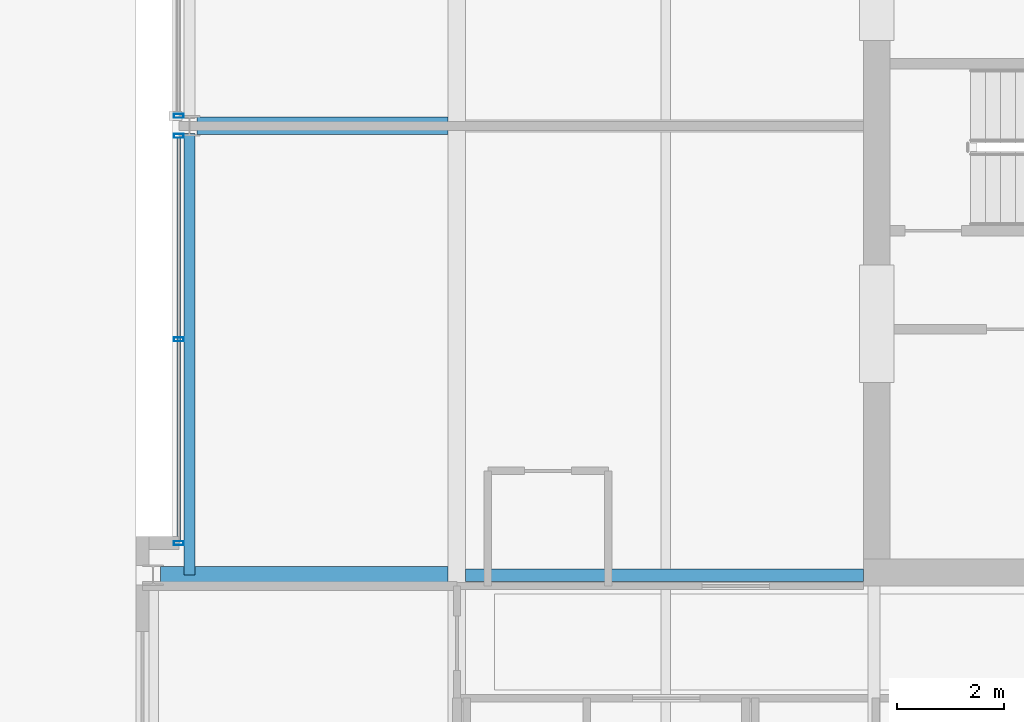
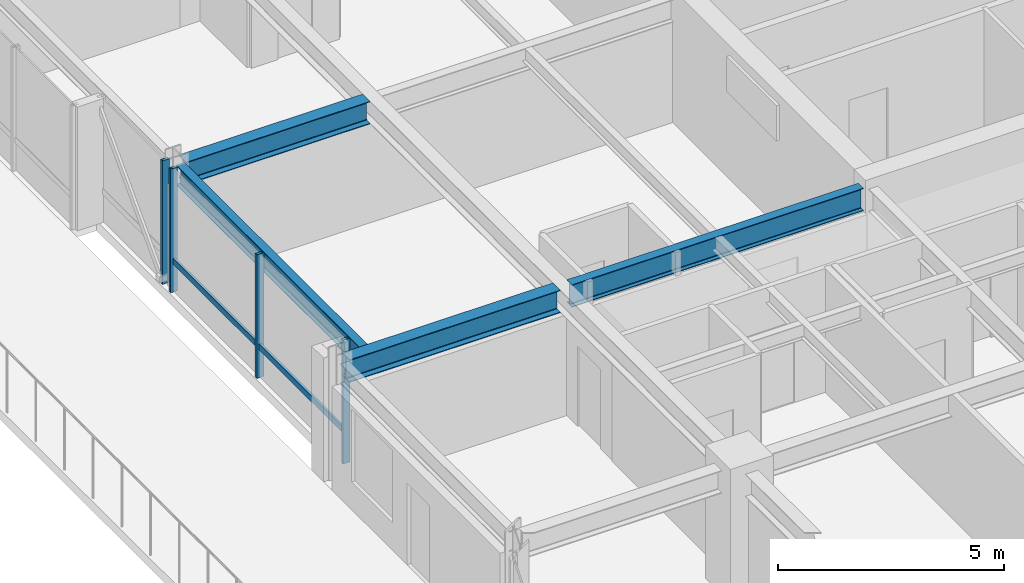
# One storey, part 7 of 32: 5 members, 4 beams, 2 elements without a shape of their own.
"""IFC4 building model written with IfcOpenShell, lengths in metres."""

import ifcopenshell
import ifcopenshell.guid

model = None  # the IFC model being written
_history = None  # IfcOwnerHistory: only IFC2X3 demands one
_inside = {}  # id of a spatial element -> (the spatial element, [elements in it])
_under = {}  # id of a project, library or spatial element -> (it, [spatial elements below it])
_declared = {}  # id of a project -> (the project, [libraries it declares])
_typed = {}  # id of a type object -> (the type object, [elements of that type])
_made_of = {}  # id of a material, layer set ... -> (it, [elements and type objects made of it])


def new_model(schema):
    """Start an empty IFC model of exactly this schema.

    Asked for "IFC4X3", IfcOpenShell would pick the latest addendum, in which some entities
    have other attributes; the version numbers below select the first issue.
    IFC2X3 requires an IfcOwnerHistory on every rooted entity: one is made here for all.
    """
    global model, _history
    if schema == "IFC4X3":
        model = ifcopenshell.file(schema_version=(4, 3, 0, 0))
    else:
        model = ifcopenshell.file(schema=schema)
    _inside.clear()
    _under.clear()
    _declared.clear()
    _typed.clear()
    _made_of.clear()
    _history = None
    if model.schema == "IFC2X3":
        org = make("IfcOrganization", Name="unknown")
        user = make(
            "IfcPersonAndOrganization",
            ThePerson=make("IfcPerson", FamilyName="unknown"),
            TheOrganization=org,
        )
        app = make(
            "IfcApplication",
            ApplicationDeveloper=org,
            Version="unknown",
            ApplicationFullName="unknown",
            ApplicationIdentifier="unknown",
        )
        _history = make(
            "IfcOwnerHistory",
            OwningUser=user,
            OwningApplication=app,
            ChangeAction="ADDED",
            CreationDate=0,
        )
    return model


def make(cls, **values):
    """One entity of the class cls with the attributes given. An attribute that is None is left unset."""
    return model.create_entity(
        cls, **{name: value for name, value in values.items() if value is not None}
    )


def rooted(cls, **values):
    """An entity with a GlobalId (a new one), such as an element, a storey or a relation."""
    return make(cls, GlobalId=ifcopenshell.guid.new(), OwnerHistory=_history, **values)


def si_unit(unit_type, name, prefix=None):
    """IfcSIUnit, for example si_unit("LENGTHUNIT", "METRE", prefix="MILLI")."""
    return make("IfcSIUnit", UnitType=unit_type, Prefix=prefix, Name=name)


def assignment(units):
    """IfcUnitAssignment: the units of a project."""
    return None if units is None else make("IfcUnitAssignment", Units=units)


def point(xyz):
    """IfcCartesianPoint."""
    return None if xyz is None else make("IfcCartesianPoint", Coordinates=xyz)


def direction(xyz):
    """IfcDirection."""
    return None if xyz is None else make("IfcDirection", DirectionRatios=xyz)


def frame(location, z_axis=None, x_axis=None):
    """IfcAxis2Placement3D, a coordinate frame: its origin and axes. An axis left out is left unset."""
    return make(
        "IfcAxis2Placement3D",
        Location=point(location),
        Axis=direction(z_axis),
        RefDirection=direction(x_axis),
    )


def frame_2d(location, x_axis=None):
    """IfcAxis2Placement2D, a coordinate frame in the plane: its origin and x axis."""
    return make(
        "IfcAxis2Placement2D", Location=point(location), RefDirection=direction(x_axis)
    )


def origin():
    """The frame at (0, 0, 0) with its axes left unset."""
    return frame((0.0, 0.0, 0.0))


def origin_2d():
    """The frame at (0, 0) in the plane with its x axis left unset."""
    return frame_2d((0.0, 0.0))


def place(relative_to, where):
    """IfcLocalPlacement: puts the frame where relative to a parent placement (None: the world)."""
    return make(
        "IfcLocalPlacement", PlacementRelTo=relative_to, RelativePlacement=where
    )


def context(
    kind, dimensions, precision=None, world=None, true_north=None, identifier=None
):
    """IfcGeometricRepresentationContext, for example the 3D "Model" context."""
    return make(
        "IfcGeometricRepresentationContext",
        ContextIdentifier=identifier,
        ContextType=kind,
        CoordinateSpaceDimension=dimensions,
        Precision=precision,
        WorldCoordinateSystem=world,
        TrueNorth=true_north,
    )


def subcontext(parent, identifier, kind, view, scale=None):
    """IfcGeometricRepresentationSubContext, for example "Body" below "Model"."""
    return make(
        "IfcGeometricRepresentationSubContext",
        ContextIdentifier=identifier,
        ContextType=kind,
        ParentContext=parent,
        TargetScale=scale,
        TargetView=view,
    )


def project(units=None, contexts=None):
    """IfcProject with its units and contexts."""
    return rooted(
        "IfcProject",
        Name="project",
        RepresentationContexts=contexts,
        UnitsInContext=assignment(units),
    )


def spatial(cls, under=None, at=None, **own):
    """A site, building, storey or space (cls), placed at a placement, below another one or the project."""
    s = rooted(cls, ObjectPlacement=at, **own)
    if under is not None:
        _under.setdefault(under.id(), (under, []))[1].append(s)
    return s


def profile(cls, at=None, kind="AREA", **sizes):
    """A parametric profile (cls). Its sizes go by their IFC names, for example OverallWidth=200.0."""
    return make(cls, ProfileType=kind, Position=at, **sizes)


def hollow_rectangle(**sizes):
    """IfcRectangleHollowProfileDef."""
    return profile("IfcRectangleHollowProfileDef", **sizes)


def i_section(**sizes):
    """IfcIShapeProfileDef."""
    return profile("IfcIShapeProfileDef", **sizes)


def extrude(swept, where, along, depth):
    """IfcExtrudedAreaSolid: the profile swept, set in the frame where, extruded along a direction by depth."""
    return make(
        "IfcExtrudedAreaSolid",
        SweptArea=swept,
        Position=where,
        ExtrudedDirection=direction(along),
        Depth=depth,
    )


def shape(context_of_items, identifier, shape_type, items):
    """IfcShapeRepresentation: the items that make up one representation, for example the "Body"."""
    return make(
        "IfcShapeRepresentation",
        ContextOfItems=context_of_items,
        RepresentationIdentifier=identifier,
        RepresentationType=shape_type,
        Items=items,
    )


def material(Name=None, Category=None):
    """IfcMaterial."""
    return make("IfcMaterial", Name=Name, Category=Category)


def layer(
    of_material, thickness, ventilated=None, Name=None, Category=None, Priority=None
):
    """IfcMaterialLayer: one layer of a wall or slab, of a material (None: an air gap)."""
    return make(
        "IfcMaterialLayer",
        Material=of_material,
        LayerThickness=thickness,
        IsVentilated=ventilated,
        Name=Name,
        Category=Category,
        Priority=Priority,
    )


def layer_set(layers, Name=None):
    """IfcMaterialLayerSet."""
    return make("IfcMaterialLayerSet", MaterialLayers=layers, LayerSetName=Name)


def material_profile(
    of_material, cross_section, Name=None, Category=None, Priority=None
):
    """IfcMaterialProfile: a cross section and its material."""
    return make(
        "IfcMaterialProfile",
        Name=Name,
        Material=of_material,
        Profile=cross_section,
        Priority=Priority,
        Category=Category,
    )


def profile_set(profiles, Name=None, composite=None):
    """IfcMaterialProfileSet."""
    return make(
        "IfcMaterialProfileSet",
        Name=Name,
        MaterialProfiles=profiles,
        CompositeProfile=composite,
    )


def made_of(thing, what):
    """Note that an element or type object is made of a material, layer set ...; save() writes the relation."""
    if what is not None:
        _made_of.setdefault(what.id(), (what, []))[1].append(thing)
    return thing


def type_object(cls, material=None, **own):
    """A type object (cls), such as IfcWallType, which elements share."""
    return made_of(rooted(cls, **own), material)


def element(
    cls,
    number,
    at=None,
    inside=None,
    cuts=None,
    type_object=None,
    material=None,
    context=None,
    identifier="Body",
    shape_type=None,
    held_by="IfcProductDefinitionShape",
    body=None,
    shapes=None,
    **own,
):
    """One element of the class cls, such as IfcWall. Its Tag is "e" and its number.

    at: its placement. inside: the storey or other place that contains it. cuts: it is an
    opening in that element (IfcRelVoidsElement). A single representation is given by context,
    identifier, shape_type and body (its items); several are given by shapes. held_by: the class
    of the entity that holds the representations. save() writes the other relations.
    """
    e = rooted(cls, Tag="e%d" % number, ObjectPlacement=at, **own)
    if body is not None:
        shapes = [shape(context, identifier, shape_type, body)]
    if shapes is not None:
        e.Representation = make(held_by, Representations=shapes)
    if inside is not None:
        _inside.setdefault(inside.id(), (inside, []))[1].append(e)
    if cuts is not None:
        rooted(
            "IfcRelVoidsElement", RelatingBuildingElement=cuts, RelatedOpeningElement=e
        )
    if type_object is not None:
        _typed.setdefault(type_object.id(), (type_object, []))[1].append(e)
    return made_of(e, material)


def aggregate(whole, parts):
    """IfcRelAggregates: a whole, such as a stair, and the parts it consists of."""
    return rooted("IfcRelAggregates", RelatingObject=whole, RelatedObjects=parts)


def save(model, path):
    """Write the relations noted so far, then the file.

    IfcRelAggregates (storeys below a building ...), IfcRelContainedInSpatialStructure (elements
    in a storey), IfcRelDefinesByType, IfcRelAssociatesMaterial and IfcRelDeclares: one each for
    every whole, place, type object, material and project.
    """
    for whole, parts in _under.values():
        aggregate(whole, parts)
    for where, things in _inside.values():
        rooted(
            "IfcRelContainedInSpatialStructure",
            RelatedElements=things,
            RelatingStructure=where,
        )
    for kind, things in _typed.values():
        rooted("IfcRelDefinesByType", RelatedObjects=things, RelatingType=kind)
    for what, things in _made_of.values():
        rooted("IfcRelAssociatesMaterial", RelatedObjects=things, RelatingMaterial=what)
    for by, libraries in _declared.values():
        rooted("IfcRelDeclares", RelatingContext=by, RelatedDefinitions=libraries)
    model.write(path)


model = new_model("IFC4")

# Units and contexts
model_context = context("Model", 3, precision=1e-05, world=origin(), true_north=direction((0.0, 1.0)))
body_context = subcontext(model_context, "Body", "Model", "MODEL_VIEW")
ifc_project = project(units=[si_unit("LENGTHUNIT", "METRE"), si_unit("AREAUNIT", "SQUARE_METRE"), si_unit("VOLUMEUNIT", "CUBIC_METRE"), si_unit("PLANEANGLEUNIT", "RADIAN"), si_unit("MASSUNIT", "GRAM", prefix="KILO")], contexts=[model_context])

# Site, building, storey
site_placement = place(None, origin())
site = spatial("IfcSite", under=ifc_project, at=site_placement, CompositionType="ELEMENT")
building_placement = place(site_placement, origin())
building = spatial("IfcBuilding", under=site, at=building_placement, Name="Drelvath Grand Hotel", CompositionType="ELEMENT")
storey_placement = place(building_placement, frame((0.0, 0.0, 205.10009765625)))
storey = spatial("IfcBuildingStorey", under=building, at=storey_placement, Name="L53", CompositionType="ELEMENT", Elevation=205.10009765625)

# Curtain wall, members
ifc_material_1 = material(Name="Platinum-Mist Anodised Aluminium Frame", Category="aluminium")
ifc_layer = layer(ifc_material_1, 0.199951171875)
ifc_layer_set = layer_set([ifc_layer], Name="Platinum-Mist Anodised Aluminium Frame")
curtain_wall_type = type_object("IfcCurtainWallType", Name="Stick Curtain Wall CW-05 Platinum Mist High-Rise", PredefinedType="NOTDEFINED", material=ifc_layer_set)
curtain_wall_1_placement = place(storey_placement, origin())
curtain_wall_1 = element("IfcCurtainWall", 1, at=curtain_wall_1_placement, inside=storey, type_object=curtain_wall_type, Name="L53 CW-05 Curtain Wall CW05-L53-WM1", PredefinedType="NOTDEFINED")
ifc_material_profile_1 = material_profile(ifc_material_1, hollow_rectangle(XDim=0.06494140625, YDim=0.159912109375, WallThickness=0.00390625, at=origin_2d()), Name="HSS160X65X4")
ifc_profile_set_1 = profile_set([ifc_material_profile_1], Name="Platinum-Mist Anodised Aluminium Frame")
member_type_1 = type_object("IfcMemberType", Name="Curtain Wall Horizontal Transom CW-05 HSS160X65X4", PredefinedType="USERDEFINED", material=ifc_profile_set_1)
member_1_placement = place(storey_placement, frame((-21.39990234375, 19.239990234375, 0.8349609375), z_axis=(0.0, 1.0, 0.0), x_axis=(-1.0, 0.0, 0.0)))
member_1 = element("IfcMember", 2, at=member_1_placement, type_object=member_type_1, Name="CW05-L53-WM1 Sill Transom", ObjectType="TRANSOM", PredefinedType="USERDEFINED", context=body_context, shape_type="SweptSolid", body=[
    extrude(hollow_rectangle(XDim=0.06494140625, YDim=0.159912109375, WallThickness=0.00390625, at=origin_2d()), origin(), (0.0, 0.0, 1.0), 7.53466796875),
])
ifc_material_profile_2 = material_profile(ifc_material_1, hollow_rectangle(XDim=0.074951171875, YDim=0.179931640625, WallThickness=0.0048828125, at=origin_2d()), Name="HSS180X75X5")
ifc_profile_set_2 = profile_set([ifc_material_profile_2], Name="Platinum-Mist Anodised Aluminium Frame")
member_type_2 = type_object("IfcMemberType", Name="Curtain Wall Vertical Mullion CW-05 HSS180X75X5", PredefinedType="MULLION", material=ifc_profile_set_2)
member_2_placement = place(storey_placement, frame((-21.39990234375, 19.199951171875, 0.0), z_axis=(0.0, 0.0, 1.0), x_axis=(0.0, 1.0, 0.0)))
member_2 = element("IfcMember", 3, at=member_2_placement, type_object=member_type_2, Name="CW05-L53-WM1 Mullion 1", PredefinedType="MULLION", context=body_context, shape_type="SweptSolid", body=[
    extrude(hollow_rectangle(XDim=0.074951171875, YDim=0.179931640625, WallThickness=0.0048828125, at=origin_2d()), origin(), (0.0, 0.0, 1.0), 3.33984375),
])
member_3_placement = place(storey_placement, frame((-21.39990234375, 23.00732421875, 0.0), z_axis=(0.0, 0.0, 1.0), x_axis=(0.0, 1.0, 0.0)))
member_3 = element("IfcMember", 4, at=member_3_placement, type_object=member_type_2, Name="CW05-L53-WM1 Mullion 2", PredefinedType="MULLION", context=body_context, shape_type="SweptSolid", body=[
    extrude(hollow_rectangle(XDim=0.074951171875, YDim=0.179931640625, WallThickness=0.0048828125, at=origin_2d()), origin(), (0.0, 0.0, 1.0), 3.33984375),
])
member_4_placement = place(storey_placement, frame((-21.39990234375, 26.814697265625, 0.0), z_axis=(0.0, 0.0, 1.0), x_axis=(0.0, 1.0, 0.0)))
member_4 = element("IfcMember", 5, at=member_4_placement, type_object=member_type_2, Name="CW05-L53-WM1 Mullion 3", PredefinedType="MULLION", context=body_context, shape_type="SweptSolid", body=[
    extrude(hollow_rectangle(XDim=0.074951171875, YDim=0.179931640625, WallThickness=0.0048828125, at=origin_2d()), origin(), (0.0, 0.0, 1.0), 3.33984375),
])
aggregate(curtain_wall_1, [member_2, member_3, member_4, member_1])

# Curtain wall, member
curtain_wall_2_placement = place(storey_placement, origin())
curtain_wall_2 = element("IfcCurtainWall", 6, at=curtain_wall_2_placement, inside=storey, type_object=curtain_wall_type, Name="L53 CW-05 Curtain Wall CW05-L53-WM2", PredefinedType="NOTDEFINED")
member_5_placement = place(storey_placement, frame((-21.39990234375, 27.185302734375, 0.0), z_axis=(0.0, 0.0, 1.0), x_axis=(0.0, 1.0, 0.0)))
member_5 = element("IfcMember", 7, at=member_5_placement, type_object=member_type_2, Name="CW05-L53-WM2 Mullion 1", PredefinedType="MULLION", context=body_context, shape_type="SweptSolid", body=[
    extrude(hollow_rectangle(XDim=0.074951171875, YDim=0.179931640625, WallThickness=0.0048828125, at=origin_2d()), origin(), (0.0, 0.0, 1.0), 3.33984375),
])
aggregate(curtain_wall_2, [member_5])

# Beams
ifc_material_2 = material(Name="Steel ASTM A992 Gr 50", Category="steel")
ifc_material_profile_3 = material_profile(ifc_material_2, i_section(OverallWidth=0.210205078125, OverallDepth=0.53662109375, WebThickness=0.010986328125, FlangeThickness=0.017333984375, FilletRadius=0.01806640625, at=origin_2d()), Name="W21X68")
ifc_profile_set_3 = profile_set([ifc_material_profile_3], Name="Steel ASTM A992 Gr 50")
beam_type_1 = type_object("IfcBeamType", Name="Perimeter Spandrel Beam W21X68", PredefinedType="SPANDREL", material=ifc_profile_set_3)
beam_1_placement = place(storey_placement, frame((-21.199951171875, 18.60009765625, 3.071533203125), z_axis=(0.0, 1.0, 0.0), x_axis=(-1.0, 0.0, 0.0)))
element("IfcBeam", 8, at=beam_1_placement, inside=storey, type_object=beam_type_1, Name="L53 Spandrel West Mid S", PredefinedType="SPANDREL", context=body_context, shape_type="SweptSolid", body=[
    extrude(i_section(OverallWidth=0.210205078125, OverallDepth=0.53662109375, WebThickness=0.010986328125, FlangeThickness=0.017333984375, FilletRadius=0.01806640625, at=origin_2d()), origin(), (0.0, 0.0, 1.0), 8.260009765625),
])
ifc_material_profile_4 = material_profile(ifc_material_2, i_section(OverallWidth=0.323974609375, OverallDepth=0.611083984375, WebThickness=0.0126953125, FlangeThickness=0.01904296875, FilletRadius=0.02197265625, at=origin_2d()), Name="W24X104")
ifc_profile_set_4 = profile_set([ifc_material_profile_4], Name="Steel ASTM A992 Gr 50")
beam_type_2 = type_object("IfcBeamType", Name="Primary Floor Girder W24X104", PredefinedType="BEAM", material=ifc_profile_set_4)
beam_2_placement = place(storey_placement, frame((-21.739990234375, 18.60009765625, 3.034423828125), z_axis=(1.0, 0.0, 0.0), x_axis=(0.0, 1.0, 0.0)))
element("IfcBeam", 9, at=beam_2_placement, inside=storey, type_object=beam_type_2, Name="L53 West Wing Girder D", PredefinedType="BEAM", context=body_context, shape_type="SweptSolid", body=[
    extrude(i_section(OverallWidth=0.323974609375, OverallDepth=0.611083984375, WebThickness=0.0126953125, FlangeThickness=0.01904296875, FilletRadius=0.02197265625, at=origin_2d()), origin(), (0.0, 0.0, 1.0), 5.3779296875),
])
beam_3_placement = place(storey_placement, frame((-21.06005859375, 27.0, 3.034423828125), z_axis=(1.0, 0.0, 0.0), x_axis=(0.0, 1.0, 0.0)))
element("IfcBeam", 10, at=beam_3_placement, inside=storey, type_object=beam_type_2, Name="L53 West Wing Girder E", PredefinedType="BEAM", context=body_context, shape_type="SweptSolid", body=[
    extrude(i_section(OverallWidth=0.323974609375, OverallDepth=0.611083984375, WebThickness=0.0126953125, FlangeThickness=0.01904296875, FilletRadius=0.02197265625, at=origin_2d()), origin(), (0.0, 0.0, 1.0), 4.697998046875),
])
ifc_material_profile_5 = material_profile(ifc_material_2, i_section(OverallWidth=0.228271484375, OverallDepth=0.607666015625, WebThickness=0.01123046875, FlangeThickness=0.017333984375, FilletRadius=0.02001953125, at=origin_2d()), Name="W24X76")
ifc_profile_set_5 = profile_set([ifc_material_profile_5], Name="Steel ASTM A992 Gr 50")
beam_type_3 = type_object("IfcBeamType", Name="Primary Floor Girder W24X76", PredefinedType="BEAM", material=ifc_profile_set_5)
beam_4_placement = place(storey_placement, frame((-16.0380859375, 18.60009765625, 3.0361328125), z_axis=(1.0, 0.0, 0.0), x_axis=(0.0, 1.0, 0.0)))
element("IfcBeam", 11, at=beam_4_placement, inside=storey, type_object=beam_type_3, Name="L53 West Core Tie D", PredefinedType="BEAM", context=body_context, shape_type="SweptSolid", body=[
    extrude(i_section(OverallWidth=0.228271484375, OverallDepth=0.607666015625, WebThickness=0.01123046875, FlangeThickness=0.017333984375, FilletRadius=0.02001953125, at=origin_2d()), origin(), (0.0, 0.0, 1.0), 7.43798828125),
])

save(model, "model.ifc")
